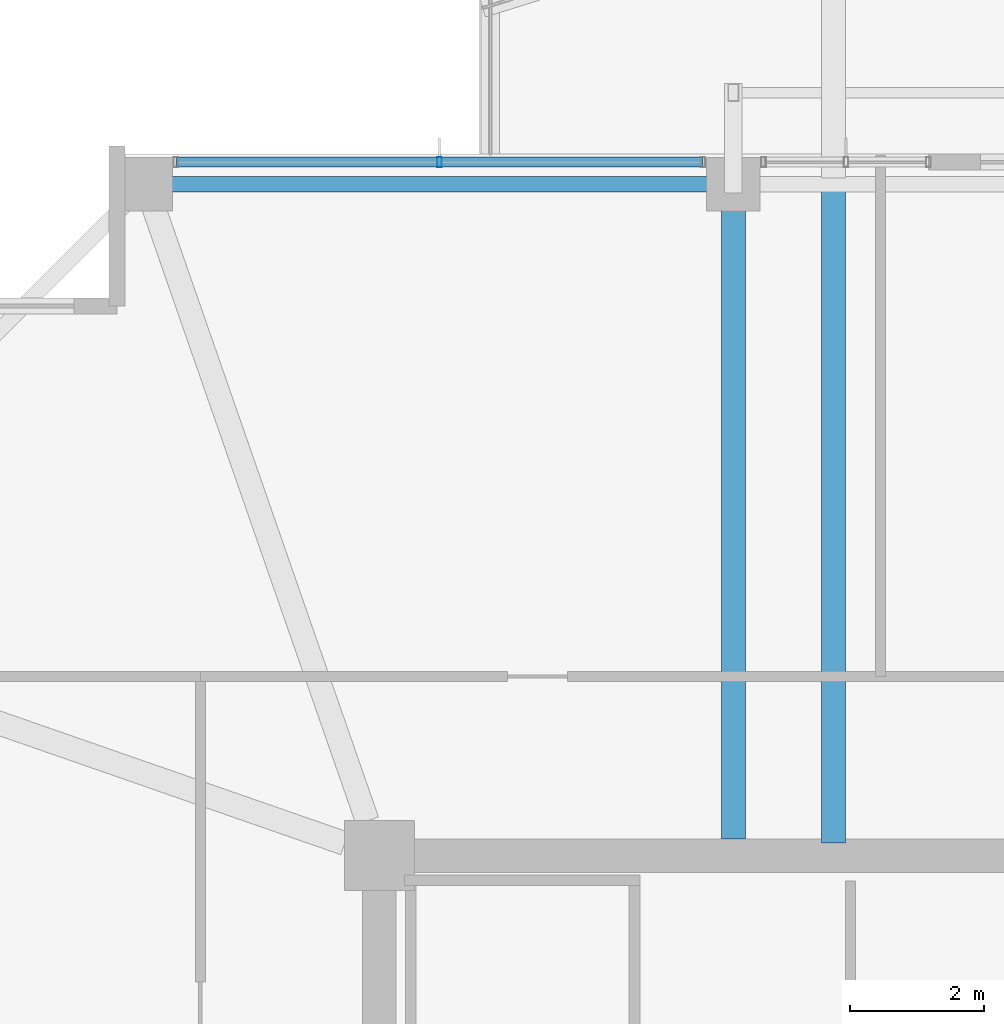
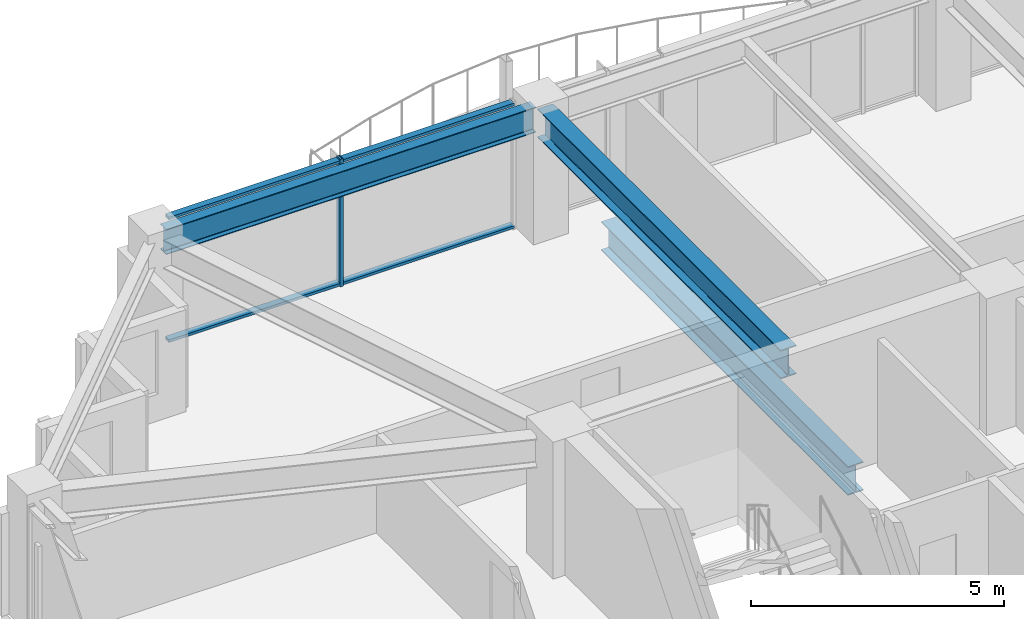
# One storey, part 19 of 38: 3 beams, 3 members, 1 element without a shape of its own.
"""IFC4 building model written with IfcOpenShell, lengths in metres."""

from ifc_helpers import new_model, si_unit, direction, frame, origin, origin_2d, place, context, subcontext, project, spatial, hollow_rectangle, i_section, extrude, material, material_profile, profile_set, type_object, element, aggregate, save


model = new_model("IFC4")

# Units and contexts
model_context = context("Model", 3, precision=1e-05, world=origin(), true_north=direction((0.0, 1.0)))
body_context = subcontext(model_context, "Body", "Model", "MODEL_VIEW")
ifc_project = project(units=[si_unit("LENGTHUNIT", "METRE"), si_unit("AREAUNIT", "SQUARE_METRE"), si_unit("VOLUMEUNIT", "CUBIC_METRE"), si_unit("PLANEANGLEUNIT", "RADIAN"), si_unit("MASSUNIT", "GRAM", prefix="KILO")], contexts=[model_context])

# Site, building, storey
site_placement = place(None, origin())
site = spatial("IfcSite", under=ifc_project, at=site_placement, CompositionType="ELEMENT")
building_placement = place(site_placement, origin())
building = spatial("IfcBuilding", under=site, at=building_placement, Name="Kolvaren Belvedere", CompositionType="ELEMENT")
storey_placement = place(building_placement, frame((0.0, 0.0, 206.39990234375)))
storey = spatial("IfcBuildingStorey", under=building, at=storey_placement, Name="L60", CompositionType="ELEMENT", Elevation=206.39990234375)

# Beams
ifc_material_1 = material(Name="Structural steel ASTM A992 Grade 50", Category="steel")
ifc_material_profile_1 = material_profile(ifc_material_1, i_section(OverallWidth=0.35498046875, OverallDepth=0.696044921875, WebThickness=0.015380859375, FlangeThickness=0.02490234375, FilletRadius=0.02197265625, at=origin_2d()), Name="W27X146")
ifc_profile_set_1 = profile_set([ifc_material_profile_1], Name="Structural steel ASTM A992 Grade 50")
beam_type_1 = type_object("IfcBeamType", Name="BM-GIRD-W27X146", PredefinedType="BEAM", material=ifc_profile_set_1)
beam_1_placement = place(storey_placement, frame((-3.10009765625, 10.090087890625, -0.56787109375), z_axis=(0.0, 1.0, 0.0), x_axis=(-1.0, 0.0, 0.0)))
element("IfcBeam", 1, at=beam_1_placement, inside=storey, type_object=beam_type_1, Name="L60 Balcony Interior Back-Span Girder BAL-N-1", PredefinedType="BEAM", context=body_context, shape_type="SweptSolid", body=[
    extrude(i_section(OverallWidth=0.35498046875, OverallDepth=0.696044921875, WebThickness=0.015380859375, FlangeThickness=0.02490234375, FilletRadius=0.02197265625, at=origin_2d()), origin(), (0.0, 0.0, 1.0), 9.764892578125),
])
beam_2_placement = place(storey_placement, frame((-4.60009765625, 10.14990234375, 2.732177734375), z_axis=(0.0, 1.0, 0.0), x_axis=(-1.0, 0.0, 0.0)))
element("IfcBeam", 2, at=beam_2_placement, inside=storey, type_object=beam_type_1, Name="L60 North Radial Girder M", PredefinedType="BEAM", context=body_context, shape_type="SweptSolid", body=[
    extrude(i_section(OverallWidth=0.35498046875, OverallDepth=0.696044921875, WebThickness=0.015380859375, FlangeThickness=0.02490234375, FilletRadius=0.02197265625, at=origin_2d()), origin(), (0.0, 0.0, 1.0), 9.6201171875),
])
ifc_material_2 = material(Name="Structural steel ASTM A992 Grade 50", Category="steel")
ifc_material_profile_2 = material_profile(ifc_material_2, i_section(OverallWidth=0.22900390625, OverallDepth=0.612060546875, WebThickness=0.011962890625, FlangeThickness=0.01953125, FilletRadius=0.01806640625, at=origin_2d()), Name="W24X84")
ifc_profile_set_2 = profile_set([ifc_material_profile_2], Name="Structural steel ASTM A992 Grade 50")
beam_type_2 = type_object("IfcBeamType", Name="BM-SPAN-W24X84", PredefinedType="SPANDREL", material=ifc_profile_set_2)
beam_3_placement = place(storey_placement, frame((-4.780029296875, 19.949951171875, 2.774169921875), z_axis=(-1.0, 0.0, 0.0), x_axis=(0.0, -1.0, 0.0)))
element("IfcBeam", 3, at=beam_3_placement, inside=storey, type_object=beam_type_2, Name="L60 Perimeter Spandrel N2-N1", PredefinedType="SPANDREL", context=body_context, shape_type="SweptSolid", body=[
    extrude(i_section(OverallWidth=0.22900390625, OverallDepth=0.612060546875, WebThickness=0.011962890625, FlangeThickness=0.01953125, FilletRadius=0.01806640625, at=origin_2d()), origin(), (0.0, 0.0, 1.0), 8.43994140625),
])

# Curtain wall, members
ifc_material_3 = material(Name="Anodised pale-metal aluminium AA 6063-T6", Category="aluminium")
curtain_wall_type = type_object("IfcCurtainWallType", Name="CW-Z5-HIGH", PredefinedType="NOTDEFINED", material=ifc_material_3)
curtain_wall_placement = place(storey_placement, origin())
curtain_wall = element("IfcCurtainWall", 4, at=curtain_wall_placement, inside=storey, type_object=curtain_wall_type, Name="L60 Unitised Curtain Wall FCW-L60-N1-B1", PredefinedType="NOTDEFINED")
ifc_material_4 = material(Name="Anodised pale-metal aluminium AA 6063-T6", Category="aluminium")
ifc_material_profile_3 = material_profile(ifc_material_4, hollow_rectangle(XDim=0.070068359375, YDim=0.14990234375, WallThickness=0.004150390625, at=origin_2d()), Name="ALU-MUL-150X70")
ifc_profile_set_3 = profile_set([ifc_material_profile_3], Name="Anodised pale-metal aluminium AA 6063-T6")
member_type_1 = type_object("IfcMemberType", Name="CW-MUL-150", PredefinedType="MULLION", material=ifc_profile_set_3)
member_1_placement = place(storey_placement, frame((-9.0, 20.280029296875, 0.0), z_axis=(0.0, 0.0, 1.0), x_axis=(1.0, 0.0, 0.0)))
member_1 = element("IfcMember", 5, at=member_1_placement, type_object=member_type_1, Name="FCW-L60-N1-B1 Unitised Mullion 2", PredefinedType="MULLION", context=body_context, shape_type="SweptSolid", body=[
    extrude(hollow_rectangle(XDim=0.070068359375, YDim=0.14990234375, WallThickness=0.004150390625, at=origin_2d()), origin(), (0.0, 0.0, 1.0), 3.080078125),
])
ifc_material_5 = material(Name="Anodised pale-metal aluminium AA 6063-T6", Category="aluminium")
ifc_material_profile_4 = material_profile(ifc_material_5, hollow_rectangle(XDim=0.06494140625, YDim=0.14990234375, WallThickness=0.00390625, at=origin_2d()), Name="ALU-TRN-150X65")
ifc_profile_set_4 = profile_set([ifc_material_profile_4], Name="Anodised pale-metal aluminium AA 6063-T6")
member_type_2 = type_object("IfcMemberType", Name="CW-TRN-150", PredefinedType="USERDEFINED", material=ifc_profile_set_4)
member_2_placement = place(storey_placement, frame((-12.945068359375, 20.280029296875, 0.06005859375), z_axis=(1.0, 0.0, 0.0), x_axis=(0.0, 0.0, 1.0)))
member_2 = element("IfcMember", 6, at=member_2_placement, type_object=member_type_2, Name="FCW-L60-N1-B1 Sill Transom", ObjectType="TRANSOM", PredefinedType="USERDEFINED", context=body_context, shape_type="SweptSolid", body=[
    extrude(hollow_rectangle(XDim=0.06494140625, YDim=0.14990234375, WallThickness=0.00390625, at=origin_2d()), origin(), (0.0, 0.0, 1.0), 7.89013671875),
])
member_3_placement = place(storey_placement, frame((-12.945068359375, 20.280029296875, 3.02001953125), z_axis=(1.0, 0.0, 0.0), x_axis=(0.0, 0.0, 1.0)))
member_3 = element("IfcMember", 7, at=member_3_placement, type_object=member_type_2, Name="FCW-L60-N1-B1 Head Transom", ObjectType="TRANSOM", PredefinedType="USERDEFINED", context=body_context, shape_type="SweptSolid", body=[
    extrude(hollow_rectangle(XDim=0.06494140625, YDim=0.14990234375, WallThickness=0.00390625, at=origin_2d()), origin(), (0.0, 0.0, 1.0), 7.89013671875),
])
aggregate(curtain_wall, [member_1, member_2, member_3])

save(model, "model.ifc")
